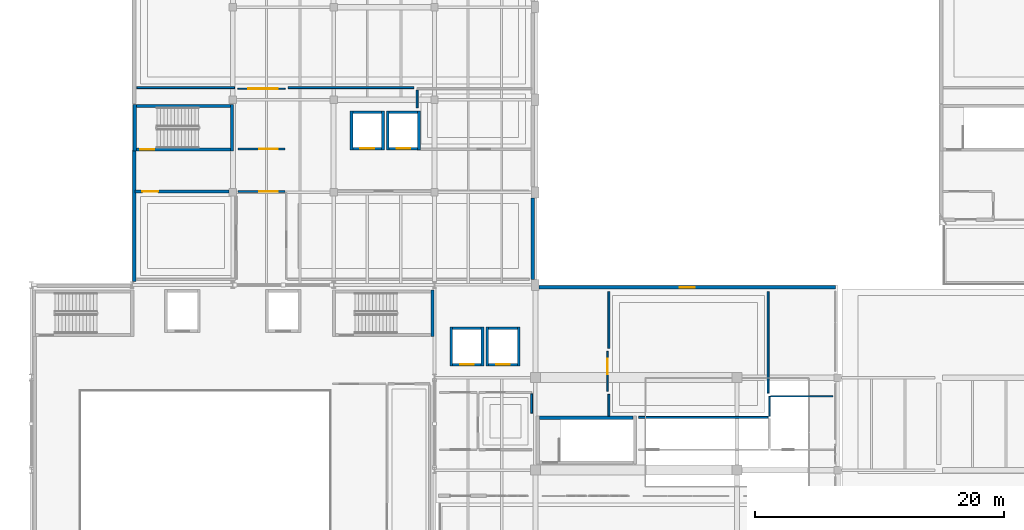
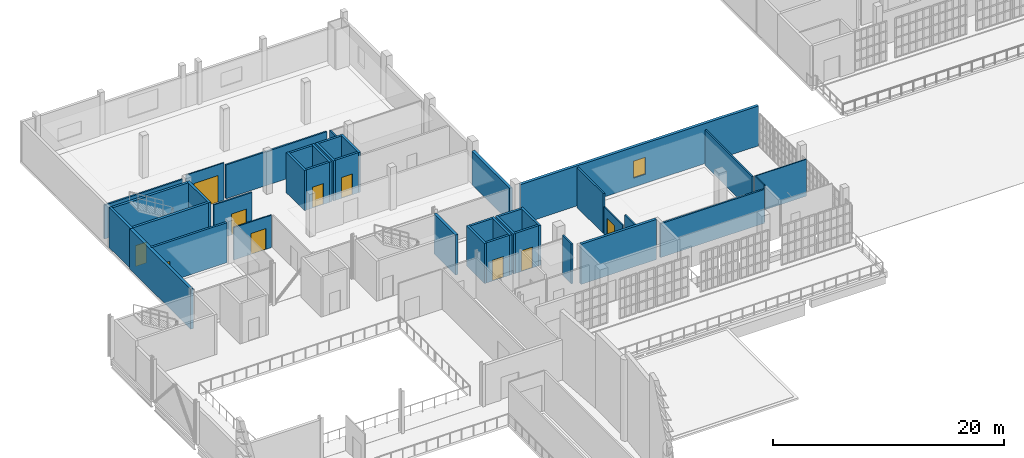
# One storey, part 47 of 56: 40 walls, 10 doors, 1 window, 11 openings.
"""IFC4 building model written with IfcOpenShell, lengths in metres."""

from ifc_helpers import new_model, si_unit, direction, frame, frame_2d, origin, place, context, subcontext, project, spatial, rectangle, extrude, material, layer, layer_set, type_object, element, fill, save


model = new_model("IFC4")

# Units and contexts
model_context = context("Model", 3, precision=1e-05, world=origin(), true_north=direction((0.0, 1.0)))
body_context = subcontext(model_context, "Body", "Model", "MODEL_VIEW")
ifc_project = project(units=[si_unit("LENGTHUNIT", "METRE"), si_unit("AREAUNIT", "SQUARE_METRE"), si_unit("VOLUMEUNIT", "CUBIC_METRE"), si_unit("PLANEANGLEUNIT", "RADIAN"), si_unit("MASSUNIT", "GRAM", prefix="KILO")], contexts=[model_context])

# Site, building, storey
site_placement = place(None, origin())
site = spatial("IfcSite", under=ifc_project, at=site_placement, CompositionType="ELEMENT")
building_placement = place(site_placement, origin())
building = spatial("IfcBuilding", under=site, at=building_placement, Name="Kaelora Sail Theatre", CompositionType="ELEMENT")
storey_placement = place(building_placement, frame((0.0, 0.0, 14.699951171875)))
storey = spatial("IfcBuildingStorey", under=building, at=storey_placement, Name="L03", CompositionType="ELEMENT", Elevation=14.699951171875)

# Wall
ifc_material_1 = material(Name="Concrete C40/50", Category="concrete")
ifc_layer_1 = layer(ifc_material_1, 0.25)
ifc_layer_set_1 = layer_set([ifc_layer_1], Name="Concrete C40/50")
wall_type_1 = type_object("IfcWallType", Name="ARC-WL-CW-250", PredefinedType="SHEAR", material=ifc_layer_set_1)
wall_1_placement = place(storey_placement, frame((58.02490234375, 79.199951171875, 0.0), z_axis=(0.0, 0.0, 1.0), x_axis=(0.0, 1.0, 0.0)))
element("IfcWall", 1, at=wall_1_placement, inside=storey, type_object=wall_type_1, Name="Stair shaft ST-K5 wall L03-E", PredefinedType="SHEAR", context=body_context, shape_type="SweptSolid", body=[
    extrude(rectangle(XDim=3.75, YDim=0.25, at=frame_2d((1.875, 0.0))), origin(), (0.0, 0.0, 1.0), 4.2451171875),
])

# Wall, opening, door
wall_2_placement = place(storey_placement, frame((34.2548828125, 94.22509765625, 0.0), z_axis=(0.0, 0.0, 1.0), x_axis=(1.0, 0.0, 0.0)))
wall_2 = element("IfcWall", 2, at=wall_2_placement, inside=storey, type_object=wall_type_1, Name="Stair shaft ST-K2 wall L03-S", PredefinedType="SHEAR", context=body_context, shape_type="SweptSolid", body=[
    extrude(rectangle(XDim=7.5400390625, YDim=0.25, at=frame_2d((3.77001953125, 0.0))), origin(), (0.0, 0.0, 1.0), 4.2451171875),
])
opening_1_placement = place(wall_2_placement, frame((0.320068359375, 0.0, 0.0)))
opening_1 = element("IfcOpeningElement", 3, at=opening_1_placement, cuts=wall_2, Name="Opening FD-02", PredefinedType="OPENING", context=body_context, shape_type="SweptSolid", body=[
    extrude(rectangle(XDim=1.10009765625, YDim=2.199951171875, at=frame_2d((0.550048828125, 1.10009765625))), frame((0.0, 0.135, 0.0), z_axis=(0.0, -1.0, 0.0), x_axis=(1.0, 0.0, 0.0)), (0.0, 0.0, 1.0), 0.27),
])
ifc_material_2 = material(Name="Acoustic steel single stair/lobby fire door EI 90-C", Category="steel")
door_type_1 = type_object("IfcDoorType", Name="ARC-DR-FD-02", OperationType="NOTDEFINED", PredefinedType="DOOR", material=ifc_material_2)
door_1_placement = place(opening_1_placement, origin())
door_1 = element("IfcDoor", 4, at=door_1_placement, inside=storey, type_object=door_type_1, Name="Stair ST-K2 door (L03)", OperationType="SINGLE_SWING_RIGHT", OverallHeight=2.199951171875, OverallWidth=1.10009765625, PredefinedType="DOOR", context=body_context, shape_type="SweptSolid", body=[
    extrude(rectangle(XDim=1.10009765625, YDim=2.199951171875, at=frame_2d((0.550048828125, 1.10009765625))), frame((0.0, 0.02490234375, 0.0), z_axis=(0.0, -1.0, 0.0), x_axis=(1.0, 0.0, 0.0)), (0.0, 0.0, 1.0), 0.050048828125),
])
fill(opening_1, door_1)

# Walls
wall_3_placement = place(storey_placement, frame((34.2548828125, 97.72509765625, 0.0), z_axis=(0.0, 0.0, 1.0), x_axis=(1.0, 0.0, 0.0)))
element("IfcWall", 5, at=wall_3_placement, inside=storey, type_object=wall_type_1, Name="Stair shaft ST-K2 wall L03-N", PredefinedType="SHEAR", context=body_context, shape_type="SweptSolid", body=[
    extrude(rectangle(XDim=7.5400390625, YDim=0.25, at=frame_2d((3.77001953125, 0.0))), origin(), (0.0, 0.0, 1.0), 4.2451171875),
])
for number, where, z_axis, x_axis, name in (
    (6, (34.125, 94.10009765625, 0.0), (0.0, 0.0, 1.0), (0.0, 1.0, 0.0), "Stair shaft ST-K2 wall L03-W"),
    (7, (41.925048828125, 94.10009765625, 0.0), (0.0, 0.0, 1.0), (0.0, 1.0, 0.0), "Stair shaft ST-K2 wall L03-E"),
):
    element("IfcWall", number, at=place(storey_placement, frame(where, z_axis=z_axis, x_axis=x_axis)), inside=storey, type_object=wall_type_1, Name=name, PredefinedType="SHEAR", context=body_context, shape_type="SweptSolid", body=[
        extrude(rectangle(XDim=3.75, YDim=0.25, at=frame_2d((1.875, 0.0))), origin(), (0.0, 0.0, 1.0), 4.2451171875),
    ])
wall_4_placement = place(storey_placement, frame((66.625, 72.675048828125, 0.0), z_axis=(0.0, 0.0, 1.0), x_axis=(1.0, 0.0, 0.0)))
element("IfcWall", 8, at=wall_4_placement, inside=storey, type_object=wall_type_1, Name="Stair shaft ST-F1 wall L03-N", PredefinedType="SHEAR", context=body_context, shape_type="SweptSolid", body=[
    extrude(rectangle(XDim=7.5400390625, YDim=0.25, at=frame_2d((3.77001953125, 0.0))), origin(), (0.0, 0.0, 1.0), 4.2451171875),
])
ifc_material_3 = material(Name="Precast concrete C45/55", Category="concrete")
ifc_layer_2 = layer(ifc_material_3, 0.280029296875)
ifc_layer_set_2 = layer_set([ifc_layer_2], Name="Precast concrete C45/55")
wall_type_2 = type_object("IfcWallType", Name="ARC-WL-EW-280", PredefinedType="SOLIDWALL", material=ifc_layer_set_2)
wall_5_placement = place(storey_placement, frame((34.080078125, 83.60009765625, 0.0), z_axis=(0.0, 0.0, 1.0), x_axis=(0.0, 1.0, 0.0)))
element("IfcWall", 9, at=wall_5_placement, inside=storey, type_object=wall_type_2, Name="Stepped Wing Facade Wall STEP-NW2-WS-L03", PredefinedType="SOLIDWALL", context=body_context, shape_type="SweptSolid", body=[
    extrude(rectangle(XDim=10.599853515625, YDim=0.280029296875, at=frame_2d((5.2998046875, 0.0))), origin(), (0.0, 0.0, 1.0), 4.22509765625),
])
wall_6_placement = place(storey_placement, frame((66.090087890625, 83.794921875, 0.0), z_axis=(0.0, 0.0, 1.0), x_axis=(0.0, 1.0, 0.0)))
element("IfcWall", 10, at=wall_6_placement, inside=storey, type_object=wall_type_2, Name="Stepped Wing Facade Wall STEP-NW2-E-L03-S1", PredefinedType="SOLIDWALL", context=body_context, shape_type="SweptSolid", body=[
    extrude(rectangle(XDim=6.530029296875, YDim=0.280029296875, at=frame_2d((3.26513671875, 0.0))), origin(), (0.0, 0.0, 1.0), 3.5771484375),
])

# Wall, opening, window
wall_7_placement = place(storey_placement, frame((66.60498046875, 83.139892578125, 0.0), z_axis=(0.0, 0.0, 1.0), x_axis=(1.0, 0.0, 0.0)))
wall_7 = element("IfcWall", 11, at=wall_7_placement, inside=storey, type_object=wall_type_2, Name="Stepped Wing Facade Wall FC1-N-L03", PredefinedType="SOLIDWALL", context=body_context, shape_type="SweptSolid", body=[
    extrude(rectangle(XDim=23.794921875, YDim=0.280029296875, at=frame_2d((11.8974609375, 0.0))), origin(), (0.0, 0.0, 1.0), 4.22509765625),
])
opening_2_placement = place(wall_7_placement, frame((11.298095703125, 0.0, 0.949951171875)))
opening_2 = element("IfcOpeningElement", 12, at=opening_2_placement, cuts=wall_7, Name="Opening W-05", PredefinedType="OPENING", context=body_context, shape_type="SweptSolid", body=[
    extrude(rectangle(XDim=1.199951171875, YDim=1.800048828125, at=frame_2d((0.60009765625, 0.89990234375))), frame((0.0, 0.150137, 0.0), z_axis=(0.0, -1.0, 0.0), x_axis=(1.0, 0.0, 0.0)), (0.0, 0.0, 1.0), 0.300029),
])
ifc_material_4 = material(Name="Thermally broken aluminium and low-E double glazing", Category="aluminium")
window_type = type_object("IfcWindowType", Name="ARC-WIN-W-05", PartitioningType="SINGLE_PANEL", PredefinedType="WINDOW", material=ifc_material_4)
window_placement = place(opening_2_placement, origin())
window = element("IfcWindow", 13, at=window_placement, inside=storey, type_object=window_type, Name="Stepped Wing Window FC1-N-L03", OverallHeight=1.800048828125, OverallWidth=1.199951171875, PartitioningType="SINGLE_PANEL", PredefinedType="WINDOW", context=body_context, shape_type="SweptSolid", body=[
    extrude(rectangle(XDim=1.199951171875, YDim=1.800048828125, at=frame_2d((0.60009765625, 0.89990234375))), frame((0.0, 0.030029296875, 0.0), z_axis=(0.0, -1.0, 0.0), x_axis=(1.0, 0.0, 0.0)), (0.0, 0.0, 1.0), 0.06005859375),
])
fill(opening_2, window)

# Wall, opening, door
ifc_material_5 = material(Name="Demountable acoustic studio wall 150 mm", Category="timber")
ifc_layer_3 = layer(ifc_material_5, 0.14990234375)
ifc_layer_set_3 = layer_set([ifc_layer_3], Name="Demountable acoustic studio wall 150 mm")
wall_type_3 = type_object("IfcWallType", Name="ARC-WL-MV-150", PredefinedType="MOVABLE", material=ifc_layer_set_3)
wall_8_placement = place(storey_placement, frame((42.39990234375, 94.25, 0.0), z_axis=(0.0, 0.0, 1.0), x_axis=(1.0, 0.0, 0.0)))
wall_8 = element("IfcWall", 14, at=wall_8_placement, inside=storey, type_object=wall_type_3, Name="Interior acoustic partition L03-COR-NW2/L03-COR-SP2", PredefinedType="MOVABLE", context=body_context, shape_type="SweptSolid", body=[
    extrude(rectangle(XDim=3.800048828125, YDim=0.14990234375, at=frame_2d((1.89990234375, 0.0))), origin(), (0.0, 0.0, 1.0), 3.777099609375),
])
opening_3_placement = place(wall_8_placement, frame((1.719970703125, 0.0, 0.0)))
opening_3 = element("IfcOpeningElement", 15, at=opening_3_placement, cuts=wall_8, Name="Opening FD-01", PredefinedType="OPENING", context=body_context, shape_type="SweptSolid", body=[
    extrude(rectangle(XDim=1.5, YDim=2.199951171875, at=frame_2d((0.75, 1.10009765625))), frame((0.0, 0.084951, 0.0), z_axis=(0.0, -1.0, 0.0), x_axis=(1.0, 0.0, 0.0)), (0.0, 0.0, 1.0), 0.169902),
])
ifc_material_6 = material(Name="Acoustic steel double fire door EI 90-C", Category="steel")
door_type_2 = type_object("IfcDoorType", Name="ARC-DR-FD-01", OperationType="NOTDEFINED", PredefinedType="DOOR", material=ifc_material_6)
door_2_placement = place(opening_3_placement, origin())
door_2 = element("IfcDoor", 16, at=door_2_placement, inside=storey, type_object=door_type_2, Name="Interior door L03-COR-NW2 to L03-COR-SP2", OperationType="DOUBLE_DOOR_SINGLE_SWING", OverallHeight=2.199951171875, OverallWidth=1.5, PredefinedType="DOOR", context=body_context, shape_type="SweptSolid", body=[
    extrude(rectangle(XDim=1.5, YDim=2.199951171875, at=frame_2d((0.75, 1.10009765625))), frame((0.0, 0.02490234375, 0.0), z_axis=(0.0, -1.0, 0.0), x_axis=(1.0, 0.0, 0.0)), (0.0, 0.0, 1.0), 0.050048828125),
])
fill(opening_3, door_2)

# Walls
ifc_material_7 = material(Name="Sanitary moisture-resistant partition 100 mm", Category="gypsum")
ifc_layer_4 = layer(ifc_material_7, 0.10009765625)
ifc_layer_set_4 = layer_set([ifc_layer_4], Name="Sanitary moisture-resistant partition 100 mm")
wall_type_4 = type_object("IfcWallType", Name="ARC-WL-PT-100", PredefinedType="PARTITIONING", material=ifc_layer_set_4)
wall_9_placement = place(storey_placement, frame((85.199951171875, 74.39990234375, 0.0), z_axis=(0.0, 0.0, 1.0), x_axis=(1.0, 0.0, 0.0)))
element("IfcWall", 17, at=wall_9_placement, inside=storey, type_object=wall_type_4, Name="Room enclosure wall L03-WC-ACC-N1", PredefinedType="PARTITIONING", context=body_context, shape_type="SweptSolid", body=[
    extrude(rectangle(XDim=5.0, YDim=0.10009765625, at=frame_2d((2.5, 0.0))), origin(), (0.0, 0.0, 1.0), 3.89697265625),
])
ifc_material_8 = material(Name="Office acoustic stud partition 110 mm", Category="gypsum")
ifc_layer_5 = layer(ifc_material_8, 0.110107421875)
ifc_layer_set_5 = layer_set([ifc_layer_5], Name="Office acoustic stud partition 110 mm")
wall_type_5 = type_object("IfcWallType", Name="ARC-WL-PT-110", PredefinedType="PARTITIONING", material=ifc_layer_set_5)
wall_10_placement = place(storey_placement, frame((85.10009765625, 72.800048828125, 0.0), z_axis=(0.0, 0.0, 1.0), x_axis=(0.0, 1.0, 0.0)))
element("IfcWall", 18, at=wall_10_placement, inside=storey, type_object=wall_type_5, Name="Interior acoustic partition L03-FOY-VIP/L03-WC-ACC", PredefinedType="PARTITIONING", context=body_context, shape_type="SweptSolid", body=[
    extrude(rectangle(XDim=1.599853515625, YDim=0.110107421875, at=frame_2d((0.7998046875, 0.0))), origin(), (0.0, 0.0, 1.0), 3.927001953125),
])

# Wall, opening, door
wall_11_placement = place(storey_placement, frame((42.39990234375, 99.10009765625, 0.0), z_axis=(0.0, 0.0, 1.0), x_axis=(1.0, 0.0, 0.0)))
wall_11 = element("IfcWall", 19, at=wall_11_placement, inside=storey, type_object=wall_type_5, Name="Interior acoustic partition L03-COR-SP2/L03-BALLET-1", PredefinedType="PARTITIONING", context=body_context, shape_type="SweptSolid", body=[
    extrude(rectangle(XDim=3.800048828125, YDim=0.110107421875, at=frame_2d((1.89990234375, 0.0))), origin(), (0.0, 0.0, 1.0), 3.95703125),
])
opening_4_placement = place(wall_11_placement, frame((0.820068359375, 0.0, 0.0)))
opening_4 = element("IfcOpeningElement", 20, at=opening_4_placement, cuts=wall_11, Name="Opening ID-05", PredefinedType="OPENING", context=body_context, shape_type="SweptSolid", body=[
    extrude(rectangle(XDim=2.39990234375, YDim=2.800048828125, at=frame_2d((1.199951171875, 1.39990234375))), frame((0.0, 0.065176, 0.0), z_axis=(0.0, -1.0, 0.0), x_axis=(1.0, 0.0, 0.0)), (0.0, 0.0, 1.0), 0.130107),
])
ifc_material_9 = material(Name="Scenery workshop oversize acoustic double door", Category="steel")
door_type_3 = type_object("IfcDoorType", Name="ARC-DR-ID-05", OperationType="NOTDEFINED", PredefinedType="DOOR", material=ifc_material_9)
door_3_placement = place(opening_4_placement, origin())
door_3 = element("IfcDoor", 21, at=door_3_placement, inside=storey, type_object=door_type_3, Name="Interior door L03-COR-SP2 to L03-BALLET-1", OperationType="DOUBLE_DOOR_SINGLE_SWING", OverallHeight=2.800048828125, OverallWidth=2.39990234375, PredefinedType="DOOR", context=body_context, shape_type="SweptSolid", body=[
    extrude(rectangle(XDim=2.39990234375, YDim=2.800048828125, at=frame_2d((1.199951171875, 1.39990234375))), frame((0.0, 0.02490234375, 0.0), z_axis=(0.0, -1.0, 0.0), x_axis=(1.0, 0.0, 0.0)), (0.0, 0.0, 1.0), 0.050048828125),
])
fill(opening_4, door_3)

ifc_material_10 = material(Name="Standard metal-stud partition 120 mm", Category="gypsum")
ifc_layer_6 = layer(ifc_material_10, 0.1201171875)
ifc_layer_set_6 = layer_set([ifc_layer_6], Name="Standard metal-stud partition 120 mm")
wall_type_6 = type_object("IfcWallType", Name="ARC-WL-PT-120", PredefinedType="PARTITIONING", material=ifc_layer_set_6)
wall_12_placement = place(storey_placement, frame((72.10009765625, 74.800048828125, 0.0), z_axis=(0.0, 0.0, 1.0), x_axis=(0.0, 1.0, 0.0)))
wall_12 = element("IfcWall", 22, at=wall_12_placement, inside=storey, type_object=wall_type_6, Name="Interior acoustic partition L03-FOY-VIP/L03-COR-VIP", PredefinedType="PARTITIONING", context=body_context, shape_type="SweptSolid", body=[
    extrude(rectangle(XDim=3.199951171875, YDim=0.1201171875, at=frame_2d((1.60009765625, 0.0))), origin(), (0.0, 0.0, 1.0), 3.027099609375),
])
opening_5_placement = place(wall_12_placement, frame((1.3701171875, 0.0, 0.0)))
opening_5 = element("IfcOpeningElement", 23, at=opening_5_placement, cuts=wall_12, Name="Opening ID-11", PredefinedType="OPENING", context=body_context, shape_type="SweptSolid", body=[
    extrude(rectangle(XDim=1.25, YDim=2.14990234375, at=frame_2d((0.625, 1.074951171875))), frame((0.0, 0.070059, 0.0), z_axis=(0.0, -1.0, 0.0), x_axis=(1.0, 0.0, 0.0)), (0.0, 0.0, 1.0), 0.140117),
])
ifc_material_11 = material(Name="Plant & rack room steel single door", Category="steel")
door_type_4 = type_object("IfcDoorType", Name="ARC-DR-ID-11", OperationType="NOTDEFINED", PredefinedType="DOOR", material=ifc_material_11)
door_4_placement = place(opening_5_placement, origin())
door_4 = element("IfcDoor", 24, at=door_4_placement, inside=storey, type_object=door_type_4, Name="Interior door L03-FOY-VIP to L03-COR-VIP", OperationType="SINGLE_SWING_LEFT", OverallHeight=2.14990234375, OverallWidth=1.25, PredefinedType="DOOR", context=body_context, shape_type="SweptSolid", body=[
    extrude(rectangle(XDim=1.25, YDim=2.14990234375, at=frame_2d((0.625, 1.074951171875))), frame((0.0, 0.02490234375, 0.0), z_axis=(0.0, -1.0, 0.0), x_axis=(1.0, 0.0, 0.0)), (0.0, 0.0, 1.0), 0.050048828125),
])
fill(opening_5, door_4)

ifc_material_12 = material(Name="Dressing room acoustic partition 130 mm", Category="gypsum")
ifc_layer_7 = layer(ifc_material_12, 0.1298828125)
ifc_layer_set_7 = layer_set([ifc_layer_7], Name="Dressing room acoustic partition 130 mm")
wall_type_7 = type_object("IfcWallType", Name="ARC-WL-PT-130", PredefinedType="PARTITIONING", material=ifc_layer_set_7)
wall_13_placement = place(storey_placement, frame((42.39990234375, 90.85009765625, 0.0), z_axis=(0.0, 0.0, 1.0), x_axis=(1.0, 0.0, 0.0)))
wall_13 = element("IfcWall", 25, at=wall_13_placement, inside=storey, type_object=wall_type_7, Name="Interior acoustic partition L03-COR-NLINKW/L03-COR-NW2", PredefinedType="PARTITIONING", context=body_context, shape_type="SweptSolid", body=[
    extrude(rectangle(XDim=3.800048828125, YDim=0.1298828125, at=frame_2d((1.89990234375, 0.0))), origin(), (0.0, 0.0, 1.0), 3.427001953125),
])
opening_6_placement = place(wall_13_placement, frame((1.719970703125, 0.0, 0.0)))
opening_6 = element("IfcOpeningElement", 26, at=opening_6_placement, cuts=wall_13, Name="Opening FD-01", PredefinedType="OPENING", context=body_context, shape_type="SweptSolid", body=[
    extrude(rectangle(XDim=1.5, YDim=2.199951171875, at=frame_2d((0.75, 1.10009765625))), frame((0.0, 0.074941, 0.0), z_axis=(0.0, -1.0, 0.0), x_axis=(1.0, 0.0, 0.0)), (0.0, 0.0, 1.0), 0.149883),
])
door_5_placement = place(opening_6_placement, origin())
door_5 = element("IfcDoor", 27, at=door_5_placement, inside=storey, type_object=door_type_2, Name="Interior door L03-COR-NLINKW to L03-COR-NW2", OperationType="DOUBLE_DOOR_SINGLE_SWING", OverallHeight=2.199951171875, OverallWidth=1.5, PredefinedType="DOOR", context=body_context, shape_type="SweptSolid", body=[
    extrude(rectangle(XDim=1.5, YDim=2.199951171875, at=frame_2d((0.75, 1.10009765625))), frame((0.0, 0.02490234375, 0.0), z_axis=(0.0, -1.0, 0.0), x_axis=(1.0, 0.0, 0.0)), (0.0, 0.0, 1.0), 0.050048828125),
])
fill(opening_6, door_5)

# Walls
ifc_material_13 = material(Name="Acoustic metal-stud plasterboard 160 mm", Category="gypsum")
ifc_layer_8 = layer(ifc_material_13, 0.159912109375)
ifc_layer_set_8 = layer_set([ifc_layer_8], Name="Acoustic metal-stud plasterboard 160 mm")
wall_type_8 = type_object("IfcWallType", Name="ARC-WL-PT-160", PredefinedType="PARTITIONING", material=ifc_layer_set_8)
wall_14_placement = place(storey_placement, frame((74.60009765625, 72.699951171875, 0.0), z_axis=(0.0, 0.0, 1.0), x_axis=(1.0, 0.0, 0.0)))
element("IfcWall", 28, at=wall_14_placement, inside=storey, type_object=wall_type_8, Name="Interior acoustic partition L03-FOY-VIP/L03-FOY-SE", PredefinedType="PARTITIONING", context=body_context, shape_type="SweptSolid", body=[
    extrude(rectangle(XDim=10.39990234375, YDim=0.159912109375, at=frame_2d((5.199951171875, 0.0))), origin(), (0.0, 0.0, 1.0), 3.5771484375),
])
wall_15_placement = place(storey_placement, frame((72.199951171875, 72.800048828125, 0.0), z_axis=(0.0, 0.0, 1.0), x_axis=(0.0, 1.0, 0.0)))
element("IfcWall", 29, at=wall_15_placement, inside=storey, type_object=wall_type_8, Name="Room enclosure wall L03-FOY-VIP-W1", PredefinedType="PARTITIONING", context=body_context, shape_type="SweptSolid", body=[
    extrude(rectangle(XDim=1.75, YDim=0.159912109375, at=frame_2d((0.875, 0.0))), origin(), (0.0, 0.0, 1.0), 4.22509765625),
])
wall_16_placement = place(storey_placement, frame((72.199951171875, 78.25, 0.0), z_axis=(0.0, 0.0, 1.0), x_axis=(0.0, 1.0, 0.0)))
element("IfcWall", 30, at=wall_16_placement, inside=storey, type_object=wall_type_8, Name="Room enclosure wall L03-FOY-VIP-W2", PredefinedType="PARTITIONING", context=body_context, shape_type="SweptSolid", body=[
    extrude(rectangle(XDim=4.550048828125, YDim=0.159912109375, at=frame_2d((2.27490234375, 0.0))), origin(), (0.0, 0.0, 1.0), 4.22509765625),
])
wall_17_placement = place(storey_placement, frame((85.0, 74.64990234375, 0.0), z_axis=(0.0, 0.0, 1.0), x_axis=(0.0, 1.0, 0.0)))
element("IfcWall", 31, at=wall_17_placement, inside=storey, type_object=wall_type_8, Name="Room enclosure wall L03-FOY-VIP-E1", PredefinedType="PARTITIONING", context=body_context, shape_type="SweptSolid", body=[
    extrude(rectangle(XDim=8.150146484375, YDim=0.159912109375, at=frame_2d((4.0751953125, 0.0))), origin(), (0.0, 0.0, 1.0), 3.72705078125),
])
wall_18_placement = place(storey_placement, frame((56.800048828125, 97.570068359375, 0.0), z_axis=(0.0, 0.0, 1.0), x_axis=(0.0, 1.0, 0.0)))
element("IfcWall", 32, at=wall_18_placement, inside=storey, type_object=wall_type_8, Name="Room enclosure wall L03-CHOREO-2-W1", PredefinedType="PARTITIONING", context=body_context, shape_type="SweptSolid", body=[
    extrude(rectangle(XDim=1.429931640625, YDim=0.159912109375, at=frame_2d((0.71484375, 0.0))), origin(), (0.0, 0.0, 1.0), 3.72705078125),
])
wall_19_placement = place(storey_placement, frame((66.0, 73.050048828125, 0.0), z_axis=(0.0, 0.0, 1.0), x_axis=(0.0, 1.0, 0.0)))
element("IfcWall", 33, at=wall_19_placement, inside=storey, type_object=wall_type_8, Name="Room enclosure wall L03-DONOR-EAST-E1", PredefinedType="PARTITIONING", context=body_context, shape_type="SweptSolid", body=[
    extrude(rectangle(XDim=1.550048828125, YDim=0.159912109375, at=frame_2d((0.77490234375, 0.0))), origin(), (0.0, 0.0, 1.0), 4.22509765625),
])
wall_20_placement = place(storey_placement, frame((34.300048828125, 99.199951171875, 0.0), z_axis=(0.0, 0.0, 1.0), x_axis=(1.0, 0.0, 0.0)))
element("IfcWall", 34, at=wall_20_placement, inside=storey, type_object=wall_type_8, Name="Room enclosure wall L03-BALLET-1-S1", PredefinedType="PARTITIONING", context=body_context, shape_type="SweptSolid", body=[
    extrude(rectangle(XDim=7.849853515625, YDim=0.159912109375, at=frame_2d((3.9248046875, 0.0))), origin(), (0.0, 0.0, 1.0), 3.5771484375),
])
wall_21_placement = place(storey_placement, frame((46.449951171875, 99.199951171875, 0.0), z_axis=(0.0, 0.0, 1.0), x_axis=(1.0, 0.0, 0.0)))
element("IfcWall", 35, at=wall_21_placement, inside=storey, type_object=wall_type_8, Name="Room enclosure wall L03-BALLET-1-S2", PredefinedType="PARTITIONING", context=body_context, shape_type="SweptSolid", body=[
    extrude(rectangle(XDim=10.10009765625, YDim=0.159912109375, at=frame_2d((5.050048828125, 0.0))), origin(), (0.0, 0.0, 1.0), 3.5771484375),
])

# Wall, opening, door
ifc_material_14 = material(Name="Studio box-in-box acoustic partition 215 mm", Category="gypsum")
ifc_layer_9 = layer(ifc_material_14, 0.215087890625)
ifc_layer_set_9 = layer_set([ifc_layer_9], Name="Studio box-in-box acoustic partition 215 mm")
wall_type_9 = type_object("IfcWallType", Name="ARC-WL-PT-215", PredefinedType="PARTITIONING", material=ifc_layer_set_9)
wall_22_placement = place(storey_placement, frame((34.159912109375, 90.85009765625, 0.0), z_axis=(0.0, 0.0, 1.0), x_axis=(1.0, 0.0, 0.0)))
wall_22 = element("IfcWall", 36, at=wall_22_placement, inside=storey, type_object=wall_type_9, Name="Interior acoustic partition L03-COR-NW2/L03-SCORE-W2", PredefinedType="PARTITIONING", context=body_context, shape_type="SweptSolid", body=[
    extrude(rectangle(XDim=7.53515625, YDim=0.215087890625, at=frame_2d((3.767578125, 0.0))), origin(), (0.0, 0.0, 1.0), 4.22509765625),
])
opening_7_placement = place(wall_22_placement, frame((0.580078125, 0.0, 0.0)))
opening_7 = element("IfcOpeningElement", 37, at=opening_7_placement, cuts=wall_22, Name="Opening ID-11", PredefinedType="OPENING", context=body_context, shape_type="SweptSolid", body=[
    extrude(rectangle(XDim=1.25, YDim=2.14990234375, at=frame_2d((0.625, 1.074951171875))), frame((0.0, 0.117422, 0.0), z_axis=(0.0, -1.0, 0.0), x_axis=(1.0, 0.0, 0.0)), (0.0, 0.0, 1.0), 0.235088),
])
door_6_placement = place(opening_7_placement, origin())
door_6 = element("IfcDoor", 38, at=door_6_placement, inside=storey, type_object=door_type_4, Name="Interior door L03-COR-NW2 to L03-SCORE-W2", OperationType="SINGLE_SWING_LEFT", OverallHeight=2.14990234375, OverallWidth=1.25, PredefinedType="DOOR", context=body_context, shape_type="SweptSolid", body=[
    extrude(rectangle(XDim=1.25, YDim=2.14990234375, at=frame_2d((0.625, 1.074951171875))), frame((0.0, 0.02490234375, 0.0), z_axis=(0.0, -1.0, 0.0), x_axis=(1.0, 0.0, 0.0)), (0.0, 0.0, 1.0), 0.050048828125),
])
fill(opening_7, door_6)

ifc_material_15 = material(Name="Concrete C40/50", Category="concrete")
ifc_layer_10 = layer(ifc_material_15, 0.219970703125)
ifc_layer_set_10 = layer_set([ifc_layer_10], Name="Concrete C40/50")
wall_type_10 = type_object("IfcWallType", Name="ARC-WL-SW-220", PredefinedType="SOLIDWALL", material=ifc_layer_set_10)
wall_23_placement = place(storey_placement, frame((59.64990234375, 76.93994140625, 0.0), z_axis=(0.0, 0.0, 1.0), x_axis=(1.0, 0.0, 0.0)))
wall_23 = element("IfcWall", 39, at=wall_23_placement, inside=storey, type_object=wall_type_10, Name="Lift PL-01 shaft wall L03-S", PredefinedType="SOLIDWALL", context=body_context, shape_type="SweptSolid", body=[
    extrude(rectangle(XDim=2.300048828125, YDim=0.219970703125, at=frame_2d((1.14990234375, 0.0))), origin(), (0.0, 0.0, 1.0), 4.2451171875),
])
opening_8_placement = place(wall_23_placement, frame((0.60009765625, 0.0, 0.0)))
opening_8 = element("IfcOpeningElement", 40, at=opening_8_placement, cuts=wall_23, Name="Opening LD-PAX", PredefinedType="OPENING", context=body_context, shape_type="SweptSolid", body=[
    extrude(rectangle(XDim=1.10009765625, YDim=2.199951171875, at=frame_2d((0.550048828125, 1.10009765625))), frame((0.0, 0.119863, 0.0), z_axis=(0.0, -1.0, 0.0), x_axis=(1.0, 0.0, 0.0)), (0.0, 0.0, 1.0), 0.239971),
])
ifc_material_16 = material(Name="Brushed bronze passenger lift landing door EI 90", Category="steel")
door_type_5 = type_object("IfcDoorType", Name="ARC-DR-LD-PAX", OperationType="NOTDEFINED", PredefinedType="DOOR", material=ifc_material_16)
door_7_placement = place(opening_8_placement, origin())
door_7 = element("IfcDoor", 41, at=door_7_placement, inside=storey, type_object=door_type_5, Name="Lift PL-01 sliding landing door (L03)", OperationType="SLIDING_TO_LEFT", OverallHeight=2.199951171875, OverallWidth=1.10009765625, PredefinedType="DOOR", context=body_context, shape_type="SweptSolid", body=[
    extrude(rectangle(XDim=1.10009765625, YDim=2.199951171875, at=frame_2d((0.550048828125, 1.10009765625))), frame((0.0, 0.02490234375, 0.0), z_axis=(0.0, -1.0, 0.0), x_axis=(1.0, 0.0, 0.0)), (0.0, 0.0, 1.0), 0.050048828125),
])
fill(opening_8, door_7)

# Walls
wall_24_placement = place(storey_placement, frame((59.64990234375, 79.860107421875, 0.0), z_axis=(0.0, 0.0, 1.0), x_axis=(1.0, 0.0, 0.0)))
element("IfcWall", 42, at=wall_24_placement, inside=storey, type_object=wall_type_10, Name="Lift PL-01 shaft wall L03-N", PredefinedType="SOLIDWALL", context=body_context, shape_type="SweptSolid", body=[
    extrude(rectangle(XDim=2.300048828125, YDim=0.219970703125, at=frame_2d((1.14990234375, 0.0))), origin(), (0.0, 0.0, 1.0), 4.2451171875),
])
for number, where, z_axis, x_axis, name in (
    (43, (59.5400390625, 76.830078125, 0.0), (0.0, 0.0, 1.0), (0.0, 1.0, 0.0), "Lift PL-01 shaft wall L03-W"),
    (44, (62.06005859375, 76.830078125, 0.0), (0.0, 0.0, 1.0), (0.0, 1.0, 0.0), "Lift PL-01 shaft wall L03-E"),
):
    element("IfcWall", number, at=place(storey_placement, frame(where, z_axis=z_axis, x_axis=x_axis)), inside=storey, type_object=wall_type_10, Name=name, PredefinedType="SOLIDWALL", context=body_context, shape_type="SweptSolid", body=[
        extrude(rectangle(XDim=3.139892578125, YDim=0.219970703125, at=frame_2d((1.56982421875, 0.0))), origin(), (0.0, 0.0, 1.0), 4.2451171875),
    ])

# Wall, opening, door
wall_25_placement = place(storey_placement, frame((62.550048828125, 76.93994140625, 0.0), z_axis=(0.0, 0.0, 1.0), x_axis=(1.0, 0.0, 0.0)))
wall_25 = element("IfcWall", 45, at=wall_25_placement, inside=storey, type_object=wall_type_10, Name="Lift PL-02 shaft wall L03-S", PredefinedType="SOLIDWALL", context=body_context, shape_type="SweptSolid", body=[
    extrude(rectangle(XDim=2.300048828125, YDim=0.219970703125, at=frame_2d((1.14990234375, 0.0))), origin(), (0.0, 0.0, 1.0), 4.2451171875),
])
opening_9_placement = place(wall_25_placement, frame((0.60009765625, 0.0, 0.0)))
opening_9 = element("IfcOpeningElement", 46, at=opening_9_placement, cuts=wall_25, Name="Opening LD-PAX", PredefinedType="OPENING", context=body_context, shape_type="SweptSolid", body=[
    extrude(rectangle(XDim=1.10009765625, YDim=2.199951171875, at=frame_2d((0.550048828125, 1.10009765625))), frame((0.0, 0.119863, 0.0), z_axis=(0.0, -1.0, 0.0), x_axis=(1.0, 0.0, 0.0)), (0.0, 0.0, 1.0), 0.239971),
])
door_8_placement = place(opening_9_placement, origin())
door_8 = element("IfcDoor", 47, at=door_8_placement, inside=storey, type_object=door_type_5, Name="Lift PL-02 sliding landing door (L03)", OperationType="SLIDING_TO_LEFT", OverallHeight=2.199951171875, OverallWidth=1.10009765625, PredefinedType="DOOR", context=body_context, shape_type="SweptSolid", body=[
    extrude(rectangle(XDim=1.10009765625, YDim=2.199951171875, at=frame_2d((0.550048828125, 1.10009765625))), frame((0.0, 0.02490234375, 0.0), z_axis=(0.0, -1.0, 0.0), x_axis=(1.0, 0.0, 0.0)), (0.0, 0.0, 1.0), 0.050048828125),
])
fill(opening_9, door_8)

# Walls
wall_26_placement = place(storey_placement, frame((62.550048828125, 79.860107421875, 0.0), z_axis=(0.0, 0.0, 1.0), x_axis=(1.0, 0.0, 0.0)))
element("IfcWall", 48, at=wall_26_placement, inside=storey, type_object=wall_type_10, Name="Lift PL-02 shaft wall L03-N", PredefinedType="SOLIDWALL", context=body_context, shape_type="SweptSolid", body=[
    extrude(rectangle(XDim=2.300048828125, YDim=0.219970703125, at=frame_2d((1.14990234375, 0.0))), origin(), (0.0, 0.0, 1.0), 4.2451171875),
])
for number, where, z_axis, x_axis, name in (
    (49, (62.43994140625, 76.830078125, 0.0), (0.0, 0.0, 1.0), (0.0, 1.0, 0.0), "Lift PL-02 shaft wall L03-W"),
    (50, (64.9599609375, 76.830078125, 0.0), (0.0, 0.0, 1.0), (0.0, 1.0, 0.0), "Lift PL-02 shaft wall L03-E"),
):
    element("IfcWall", number, at=place(storey_placement, frame(where, z_axis=z_axis, x_axis=x_axis)), inside=storey, type_object=wall_type_10, Name=name, PredefinedType="SOLIDWALL", context=body_context, shape_type="SweptSolid", body=[
        extrude(rectangle(XDim=3.139892578125, YDim=0.219970703125, at=frame_2d((1.56982421875, 0.0))), origin(), (0.0, 0.0, 1.0), 4.2451171875),
    ])

# Wall, opening, door
wall_27_placement = place(storey_placement, frame((51.64990234375, 94.2900390625, 0.0), z_axis=(0.0, 0.0, 1.0), x_axis=(1.0, 0.0, 0.0)))
wall_27 = element("IfcWall", 51, at=wall_27_placement, inside=storey, type_object=wall_type_10, Name="Lift PL-03 shaft wall L03-S", PredefinedType="SOLIDWALL", context=body_context, shape_type="SweptSolid", body=[
    extrude(rectangle(XDim=2.300048828125, YDim=0.219970703125, at=frame_2d((1.14990234375, 0.0))), origin(), (0.0, 0.0, 1.0), 4.2451171875),
])
opening_10_placement = place(wall_27_placement, frame((0.60009765625, 0.0, 0.0)))
opening_10 = element("IfcOpeningElement", 52, at=opening_10_placement, cuts=wall_27, Name="Opening LD-PAX", PredefinedType="OPENING", context=body_context, shape_type="SweptSolid", body=[
    extrude(rectangle(XDim=1.10009765625, YDim=2.199951171875, at=frame_2d((0.550048828125, 1.10009765625))), frame((0.0, 0.119863, 0.0), z_axis=(0.0, -1.0, 0.0), x_axis=(1.0, 0.0, 0.0)), (0.0, 0.0, 1.0), 0.239971),
])
door_9_placement = place(opening_10_placement, origin())
door_9 = element("IfcDoor", 53, at=door_9_placement, inside=storey, type_object=door_type_5, Name="Lift PL-03 sliding landing door (L03)", OperationType="SLIDING_TO_LEFT", OverallHeight=2.199951171875, OverallWidth=1.10009765625, PredefinedType="DOOR", context=body_context, shape_type="SweptSolid", body=[
    extrude(rectangle(XDim=1.10009765625, YDim=2.199951171875, at=frame_2d((0.550048828125, 1.10009765625))), frame((0.0, 0.02490234375, 0.0), z_axis=(0.0, -1.0, 0.0), x_axis=(1.0, 0.0, 0.0)), (0.0, 0.0, 1.0), 0.050048828125),
])
fill(opening_10, door_9)

# Walls
wall_28_placement = place(storey_placement, frame((51.64990234375, 97.2099609375, 0.0), z_axis=(0.0, 0.0, 1.0), x_axis=(1.0, 0.0, 0.0)))
element("IfcWall", 54, at=wall_28_placement, inside=storey, type_object=wall_type_10, Name="Lift PL-03 shaft wall L03-N", PredefinedType="SOLIDWALL", context=body_context, shape_type="SweptSolid", body=[
    extrude(rectangle(XDim=2.300048828125, YDim=0.219970703125, at=frame_2d((1.14990234375, 0.0))), origin(), (0.0, 0.0, 1.0), 4.2451171875),
])
for number, where, z_axis, x_axis, name in (
    (55, (51.5400390625, 94.179931640625, 0.0), (0.0, 0.0, 1.0), (0.0, 1.0, 0.0), "Lift PL-03 shaft wall L03-W"),
    (56, (54.06005859375, 94.179931640625, 0.0), (0.0, 0.0, 1.0), (0.0, 1.0, 0.0), "Lift PL-03 shaft wall L03-E"),
):
    element("IfcWall", number, at=place(storey_placement, frame(where, z_axis=z_axis, x_axis=x_axis)), inside=storey, type_object=wall_type_10, Name=name, PredefinedType="SOLIDWALL", context=body_context, shape_type="SweptSolid", body=[
        extrude(rectangle(XDim=3.14013671875, YDim=0.219970703125, at=frame_2d((1.570068359375, 0.0))), origin(), (0.0, 0.0, 1.0), 4.2451171875),
    ])

# Wall, opening, door
wall_29_placement = place(storey_placement, frame((54.550048828125, 94.2900390625, 0.0), z_axis=(0.0, 0.0, 1.0), x_axis=(1.0, 0.0, 0.0)))
wall_29 = element("IfcWall", 57, at=wall_29_placement, inside=storey, type_object=wall_type_10, Name="Lift PL-04 shaft wall L03-S", PredefinedType="SOLIDWALL", context=body_context, shape_type="SweptSolid", body=[
    extrude(rectangle(XDim=2.300048828125, YDim=0.219970703125, at=frame_2d((1.14990234375, 0.0))), origin(), (0.0, 0.0, 1.0), 4.2451171875),
])
opening_11_placement = place(wall_29_placement, frame((0.60009765625, 0.0, 0.0)))
opening_11 = element("IfcOpeningElement", 58, at=opening_11_placement, cuts=wall_29, Name="Opening LD-PAX", PredefinedType="OPENING", context=body_context, shape_type="SweptSolid", body=[
    extrude(rectangle(XDim=1.10009765625, YDim=2.199951171875, at=frame_2d((0.550048828125, 1.10009765625))), frame((0.0, 0.119863, 0.0), z_axis=(0.0, -1.0, 0.0), x_axis=(1.0, 0.0, 0.0)), (0.0, 0.0, 1.0), 0.239971),
])
door_10_placement = place(opening_11_placement, origin())
door_10 = element("IfcDoor", 59, at=door_10_placement, inside=storey, type_object=door_type_5, Name="Lift PL-04 sliding landing door (L03)", OperationType="SLIDING_TO_LEFT", OverallHeight=2.199951171875, OverallWidth=1.10009765625, PredefinedType="DOOR", context=body_context, shape_type="SweptSolid", body=[
    extrude(rectangle(XDim=1.10009765625, YDim=2.199951171875, at=frame_2d((0.550048828125, 1.10009765625))), frame((0.0, 0.02490234375, 0.0), z_axis=(0.0, -1.0, 0.0), x_axis=(1.0, 0.0, 0.0)), (0.0, 0.0, 1.0), 0.050048828125),
])
fill(opening_11, door_10)

# Walls
wall_30_placement = place(storey_placement, frame((54.550048828125, 97.2099609375, 0.0), z_axis=(0.0, 0.0, 1.0), x_axis=(1.0, 0.0, 0.0)))
element("IfcWall", 60, at=wall_30_placement, inside=storey, type_object=wall_type_10, Name="Lift PL-04 shaft wall L03-N", PredefinedType="SOLIDWALL", context=body_context, shape_type="SweptSolid", body=[
    extrude(rectangle(XDim=2.300048828125, YDim=0.219970703125, at=frame_2d((1.14990234375, 0.0))), origin(), (0.0, 0.0, 1.0), 4.2451171875),
])
for number, where, z_axis, x_axis, name in (
    (61, (54.43994140625, 94.179931640625, 0.0), (0.0, 0.0, 1.0), (0.0, 1.0, 0.0), "Lift PL-04 shaft wall L03-W"),
    (62, (56.9599609375, 94.179931640625, 0.0), (0.0, 0.0, 1.0), (0.0, 1.0, 0.0), "Lift PL-04 shaft wall L03-E"),
):
    element("IfcWall", number, at=place(storey_placement, frame(where, z_axis=z_axis, x_axis=x_axis)), inside=storey, type_object=wall_type_10, Name=name, PredefinedType="SOLIDWALL", context=body_context, shape_type="SweptSolid", body=[
        extrude(rectangle(XDim=3.14013671875, YDim=0.219970703125, at=frame_2d((1.570068359375, 0.0))), origin(), (0.0, 0.0, 1.0), 4.2451171875),
    ])

save(model, "model.ifc")
